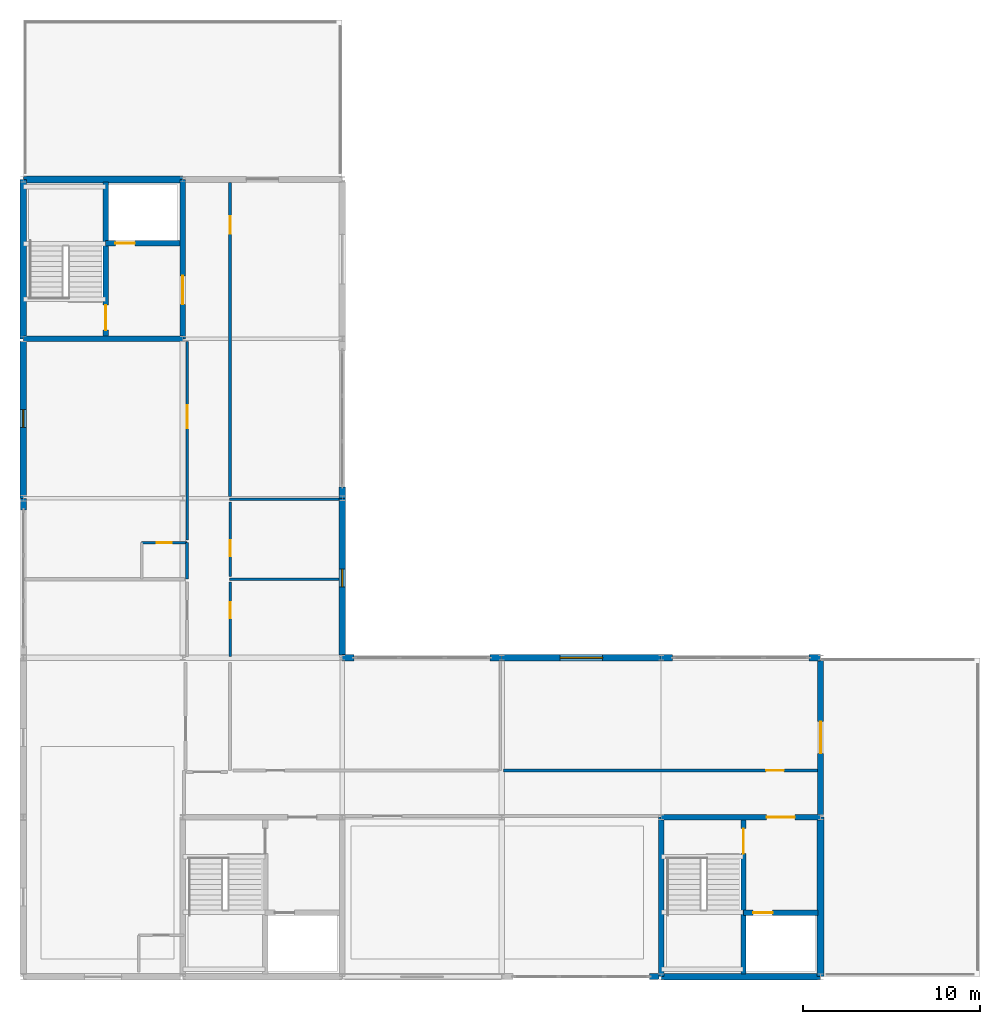
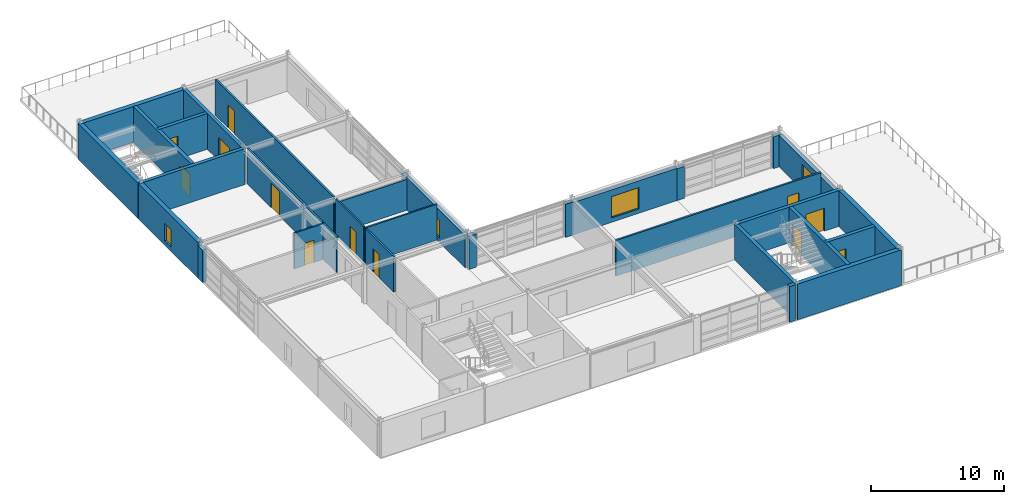
# One storey, part 9 of 11: 32 walls, 13 doors, 3 windows, 16 openings.
"""IFC4 building model written with IfcOpenShell, lengths in metres."""

import ifcopenshell
import ifcopenshell.guid

model = None  # the IFC model being written
_history = None  # IfcOwnerHistory: only IFC2X3 demands one
_inside = {}  # id of a spatial element -> (the spatial element, [elements in it])
_under = {}  # id of a project, library or spatial element -> (it, [spatial elements below it])
_declared = {}  # id of a project -> (the project, [libraries it declares])
_typed = {}  # id of a type object -> (the type object, [elements of that type])
_made_of = {}  # id of a material, layer set ... -> (it, [elements and type objects made of it])


def new_model(schema):
    """Start an empty IFC model of exactly this schema.

    Asked for "IFC4X3", IfcOpenShell would pick the latest addendum, in which some entities
    have other attributes; the version numbers below select the first issue.
    IFC2X3 requires an IfcOwnerHistory on every rooted entity: one is made here for all.
    """
    global model, _history
    if schema == "IFC4X3":
        model = ifcopenshell.file(schema_version=(4, 3, 0, 0))
    else:
        model = ifcopenshell.file(schema=schema)
    _inside.clear()
    _under.clear()
    _declared.clear()
    _typed.clear()
    _made_of.clear()
    _history = None
    if model.schema == "IFC2X3":
        org = make("IfcOrganization", Name="unknown")
        user = make(
            "IfcPersonAndOrganization",
            ThePerson=make("IfcPerson", FamilyName="unknown"),
            TheOrganization=org,
        )
        app = make(
            "IfcApplication",
            ApplicationDeveloper=org,
            Version="unknown",
            ApplicationFullName="unknown",
            ApplicationIdentifier="unknown",
        )
        _history = make(
            "IfcOwnerHistory",
            OwningUser=user,
            OwningApplication=app,
            ChangeAction="ADDED",
            CreationDate=0,
        )
    return model


def make(cls, **values):
    """One entity of the class cls with the attributes given. An attribute that is None is left unset."""
    return model.create_entity(
        cls, **{name: value for name, value in values.items() if value is not None}
    )


def rooted(cls, **values):
    """An entity with a GlobalId (a new one), such as an element, a storey or a relation."""
    return make(cls, GlobalId=ifcopenshell.guid.new(), OwnerHistory=_history, **values)


def si_unit(unit_type, name, prefix=None):
    """IfcSIUnit, for example si_unit("LENGTHUNIT", "METRE", prefix="MILLI")."""
    return make("IfcSIUnit", UnitType=unit_type, Prefix=prefix, Name=name)


def assignment(units):
    """IfcUnitAssignment: the units of a project."""
    return None if units is None else make("IfcUnitAssignment", Units=units)


def point(xyz):
    """IfcCartesianPoint."""
    return None if xyz is None else make("IfcCartesianPoint", Coordinates=xyz)


def direction(xyz):
    """IfcDirection."""
    return None if xyz is None else make("IfcDirection", DirectionRatios=xyz)


def frame(location, z_axis=None, x_axis=None):
    """IfcAxis2Placement3D, a coordinate frame: its origin and axes. An axis left out is left unset."""
    return make(
        "IfcAxis2Placement3D",
        Location=point(location),
        Axis=direction(z_axis),
        RefDirection=direction(x_axis),
    )


def frame_2d(location, x_axis=None):
    """IfcAxis2Placement2D, a coordinate frame in the plane: its origin and x axis."""
    return make(
        "IfcAxis2Placement2D", Location=point(location), RefDirection=direction(x_axis)
    )


def origin():
    """The frame at (0, 0, 0) with its axes left unset."""
    return frame((0.0, 0.0, 0.0))


def place(relative_to, where):
    """IfcLocalPlacement: puts the frame where relative to a parent placement (None: the world)."""
    return make(
        "IfcLocalPlacement", PlacementRelTo=relative_to, RelativePlacement=where
    )


def context(
    kind, dimensions, precision=None, world=None, true_north=None, identifier=None
):
    """IfcGeometricRepresentationContext, for example the 3D "Model" context."""
    return make(
        "IfcGeometricRepresentationContext",
        ContextIdentifier=identifier,
        ContextType=kind,
        CoordinateSpaceDimension=dimensions,
        Precision=precision,
        WorldCoordinateSystem=world,
        TrueNorth=true_north,
    )


def subcontext(parent, identifier, kind, view, scale=None):
    """IfcGeometricRepresentationSubContext, for example "Body" below "Model"."""
    return make(
        "IfcGeometricRepresentationSubContext",
        ContextIdentifier=identifier,
        ContextType=kind,
        ParentContext=parent,
        TargetScale=scale,
        TargetView=view,
    )


def project(units=None, contexts=None):
    """IfcProject with its units and contexts."""
    return rooted(
        "IfcProject",
        Name="project",
        RepresentationContexts=contexts,
        UnitsInContext=assignment(units),
    )


def spatial(cls, under=None, at=None, **own):
    """A site, building, storey or space (cls), placed at a placement, below another one or the project."""
    s = rooted(cls, ObjectPlacement=at, **own)
    if under is not None:
        _under.setdefault(under.id(), (under, []))[1].append(s)
    return s


def profile(cls, at=None, kind="AREA", **sizes):
    """A parametric profile (cls). Its sizes go by their IFC names, for example OverallWidth=200.0."""
    return make(cls, ProfileType=kind, Position=at, **sizes)


def rectangle(**sizes):
    """IfcRectangleProfileDef."""
    return profile("IfcRectangleProfileDef", **sizes)


def extrude(swept, where, along, depth):
    """IfcExtrudedAreaSolid: the profile swept, set in the frame where, extruded along a direction by depth."""
    return make(
        "IfcExtrudedAreaSolid",
        SweptArea=swept,
        Position=where,
        ExtrudedDirection=direction(along),
        Depth=depth,
    )


def shape(context_of_items, identifier, shape_type, items):
    """IfcShapeRepresentation: the items that make up one representation, for example the "Body"."""
    return make(
        "IfcShapeRepresentation",
        ContextOfItems=context_of_items,
        RepresentationIdentifier=identifier,
        RepresentationType=shape_type,
        Items=items,
    )


def material(Name=None, Category=None):
    """IfcMaterial."""
    return make("IfcMaterial", Name=Name, Category=Category)


def layer(
    of_material, thickness, ventilated=None, Name=None, Category=None, Priority=None
):
    """IfcMaterialLayer: one layer of a wall or slab, of a material (None: an air gap)."""
    return make(
        "IfcMaterialLayer",
        Material=of_material,
        LayerThickness=thickness,
        IsVentilated=ventilated,
        Name=Name,
        Category=Category,
        Priority=Priority,
    )


def layer_set(layers, Name=None):
    """IfcMaterialLayerSet."""
    return make("IfcMaterialLayerSet", MaterialLayers=layers, LayerSetName=Name)


def made_of(thing, what):
    """Note that an element or type object is made of a material, layer set ...; save() writes the relation."""
    if what is not None:
        _made_of.setdefault(what.id(), (what, []))[1].append(thing)
    return thing


def type_object(cls, material=None, **own):
    """A type object (cls), such as IfcWallType, which elements share."""
    return made_of(rooted(cls, **own), material)


def element(
    cls,
    number,
    at=None,
    inside=None,
    cuts=None,
    type_object=None,
    material=None,
    context=None,
    identifier="Body",
    shape_type=None,
    held_by="IfcProductDefinitionShape",
    body=None,
    shapes=None,
    **own,
):
    """One element of the class cls, such as IfcWall. Its Tag is "e" and its number.

    at: its placement. inside: the storey or other place that contains it. cuts: it is an
    opening in that element (IfcRelVoidsElement). A single representation is given by context,
    identifier, shape_type and body (its items); several are given by shapes. held_by: the class
    of the entity that holds the representations. save() writes the other relations.
    """
    e = rooted(cls, Tag="e%d" % number, ObjectPlacement=at, **own)
    if body is not None:
        shapes = [shape(context, identifier, shape_type, body)]
    if shapes is not None:
        e.Representation = make(held_by, Representations=shapes)
    if inside is not None:
        _inside.setdefault(inside.id(), (inside, []))[1].append(e)
    if cuts is not None:
        rooted(
            "IfcRelVoidsElement", RelatingBuildingElement=cuts, RelatedOpeningElement=e
        )
    if type_object is not None:
        _typed.setdefault(type_object.id(), (type_object, []))[1].append(e)
    return made_of(e, material)


def fill(opening, filler):
    """IfcRelFillsElement: the door or window that sits in an opening."""
    return rooted(
        "IfcRelFillsElement",
        RelatingOpeningElement=opening,
        RelatedBuildingElement=filler,
    )


def aggregate(whole, parts):
    """IfcRelAggregates: a whole, such as a stair, and the parts it consists of."""
    return rooted("IfcRelAggregates", RelatingObject=whole, RelatedObjects=parts)


def save(model, path):
    """Write the relations noted so far, then the file.

    IfcRelAggregates (storeys below a building ...), IfcRelContainedInSpatialStructure (elements
    in a storey), IfcRelDefinesByType, IfcRelAssociatesMaterial and IfcRelDeclares: one each for
    every whole, place, type object, material and project.
    """
    for whole, parts in _under.values():
        aggregate(whole, parts)
    for where, things in _inside.values():
        rooted(
            "IfcRelContainedInSpatialStructure",
            RelatedElements=things,
            RelatingStructure=where,
        )
    for kind, things in _typed.values():
        rooted("IfcRelDefinesByType", RelatedObjects=things, RelatingType=kind)
    for what, things in _made_of.values():
        rooted("IfcRelAssociatesMaterial", RelatedObjects=things, RelatingMaterial=what)
    for by, libraries in _declared.values():
        rooted("IfcRelDeclares", RelatingContext=by, RelatedDefinitions=libraries)
    model.write(path)


model = new_model("IFC4")

# Units and contexts
model_context = context("Model", 3, precision=1e-05, world=origin(), true_north=direction((0.0, 1.0)))
body_context = subcontext(model_context, "Body", "Model", "MODEL_VIEW")
ifc_project = project(units=[si_unit("LENGTHUNIT", "METRE"), si_unit("AREAUNIT", "SQUARE_METRE"), si_unit("VOLUMEUNIT", "CUBIC_METRE"), si_unit("PLANEANGLEUNIT", "RADIAN"), si_unit("MASSUNIT", "GRAM", prefix="KILO")], contexts=[model_context])

# Site, building, storey
site_placement = place(None, origin())
site = spatial("IfcSite", under=ifc_project, at=site_placement, CompositionType="ELEMENT")
building_placement = place(site_placement, origin())
building = spatial("IfcBuilding", under=site, at=building_placement, Name="Palais des Congres Ocreval", CompositionType="ELEMENT")
storey_placement = place(building_placement, frame((0.0, 0.0, 26.8798828125)))
storey = spatial("IfcBuildingStorey", under=building, at=storey_placement, Name="L08", CompositionType="ELEMENT", Elevation=26.8798828125)

# Wall, opening, door
ifc_material_1 = material(Name="Moisture-resistant gypsum board")
ifc_layer_1 = layer(ifc_material_1, 0.139892578125)
ifc_layer_set_1 = layer_set([ifc_layer_1], Name="Bathroom Plumbing Chase Wall 140 Gypsum (Moisture-resistant gypsum board)")
wall_type_1 = type_object("IfcWallType", Name="Bathroom Plumbing Chase Wall 140 Gypsum", PredefinedType="PLUMBINGWALL", material=ifc_layer_set_1)
wall_1_placement = place(storey_placement, frame((6.679931640625, 24.5, 0.0), z_axis=(0.0, 0.0, 1.0), x_axis=(1.0, 0.0, 0.0)))
wall_1 = element("IfcWall", 1, at=wall_1_placement, inside=storey, type_object=wall_type_1, Name="Bathroom Plumbing Wall PW03 L08", PredefinedType="PLUMBINGWALL", context=body_context, shape_type="SweptSolid", body=[
    extrude(rectangle(XDim=2.56005859375, YDim=0.139892578125, at=frame_2d((1.280029296875, 0.0))), origin(), (0.0, 0.0, 1.0), 3.27001953125),
])
opening_1_placement = place(wall_1_placement, frame((0.85498046875, 0.0, 0.0)))
opening_1 = element("IfcOpeningElement", 2, at=opening_1_placement, cuts=wall_1, Name="Opening D08", PredefinedType="OPENING", context=body_context, shape_type="SweptSolid", body=[
    extrude(rectangle(XDim=0.85009765625, YDim=2.0400390625, at=frame_2d((0.425048828125, 1.02001953125))), frame((0.0, 0.079833984375, 0.0), z_axis=(0.0, -1.0, 0.0), x_axis=(1.0, 0.0, 0.0)), (0.0, 0.0, 1.0), 0.159912109375),
])
ifc_material_2 = material(Name="Solid French oak", Category="wood")
door_type_1 = type_object("IfcDoorType", Name="En-Suite Bathroom Door 850x2040", OperationType="NOTDEFINED", PredefinedType="DOOR", material=ifc_material_2)
door_1_placement = place(opening_1_placement, origin())
door_1 = element("IfcDoor", 3, at=door_1_placement, inside=storey, type_object=door_type_1, Name="En-Suite Bathroom Door D08 L08", OperationType="SINGLE_SWING_LEFT", OverallHeight=2.0400390625, OverallWidth=0.85009765625, PredefinedType="DOOR", context=body_context, shape_type="SweptSolid", body=[
    extrude(rectangle(XDim=0.85009765625, YDim=2.0400390625, at=frame_2d((0.425048828125, 1.02001953125))), frame((0.0, 0.02490234375, 0.0), z_axis=(0.0, -1.0, 0.0), x_axis=(1.0, 0.0, 0.0)), (0.0, 0.0, 1.0), 0.050048828125),
])
fill(opening_1, door_1)

# Walls
wall_2_placement = place(storey_placement, frame((11.639892578125, 22.43505859375, 0.0), z_axis=(0.0, 0.0, 1.0), x_axis=(1.0, 0.0, 0.0)))
element("IfcWall", 4, at=wall_2_placement, inside=storey, type_object=wall_type_1, Name="Interior Partition PW03 L08", PredefinedType="PLUMBINGWALL", context=body_context, shape_type="SweptSolid", body=[
    extrude(rectangle(XDim=6.18505859375, YDim=0.139892578125, at=frame_2d((3.092529296875, 0.0))), origin(), (0.0, 0.0, 1.0), 3.27001953125),
])
wall_3_placement = place(storey_placement, frame((11.639892578125, 26.93505859375, 0.0), z_axis=(0.0, 0.0, 1.0), x_axis=(1.0, 0.0, 0.0)))
element("IfcWall", 5, at=wall_3_placement, inside=storey, type_object=wall_type_1, Name="Interior Partition PW03 L08", PredefinedType="PLUMBINGWALL", context=body_context, shape_type="SweptSolid", body=[
    extrude(rectangle(XDim=6.18505859375, YDim=0.139892578125, at=frame_2d((3.092529296875, 0.0))), origin(), (0.0, 0.0, 1.0), 2.820068359375),
])

# Wall, opening, door
wall_4_placement = place(storey_placement, frame((11.669921875, 18.070068359375, 0.0), z_axis=(0.0, 0.0, 1.0), x_axis=(0.0, 1.0, 0.0)))
wall_4 = element("IfcWall", 6, at=wall_4_placement, inside=storey, type_object=wall_type_1, Name="Interior Partition PW03 L08", PredefinedType="PLUMBINGWALL", context=body_context, shape_type="SweptSolid", body=[
    extrude(rectangle(XDim=4.2099609375, YDim=0.139892578125, at=frame_2d((2.10498046875, 0.0))), origin(), (0.0, 0.0, 1.0), 3.27001953125),
])
opening_2_placement = place(wall_4_placement, frame((2.16015625, 0.0, 0.0)))
opening_2 = element("IfcOpeningElement", 7, at=opening_2_placement, cuts=wall_4, Name="Opening D09", PredefinedType="OPENING", context=body_context, shape_type="SweptSolid", body=[
    extrude(rectangle(XDim=0.89990234375, YDim=2.10009765625, at=frame_2d((0.449951171875, 1.050048828125))), frame((0.0, 0.079833984375, 0.0), z_axis=(0.0, -1.0, 0.0), x_axis=(1.0, 0.0, 0.0)), (0.0, 0.0, 1.0), 0.159912109375),
])
door_type_2 = type_object("IfcDoorType", Name="Accessible Restroom Door 900x2100", OperationType="NOTDEFINED", PredefinedType="DOOR", material=ifc_material_2)
door_2_placement = place(opening_2_placement, origin())
door_2 = element("IfcDoor", 8, at=door_2_placement, inside=storey, type_object=door_type_2, Name="Interior Door D09 L08", OperationType="SINGLE_SWING_RIGHT", OverallHeight=2.10009765625, OverallWidth=0.89990234375, PredefinedType="DOOR", context=body_context, shape_type="SweptSolid", body=[
    extrude(rectangle(XDim=0.89990234375, YDim=2.10009765625, at=frame_2d((0.449951171875, 1.050048828125))), frame((0.0, 0.02490234375, 0.0), z_axis=(0.0, -1.0, 0.0), x_axis=(1.0, 0.0, 0.0)), (0.0, 0.0, 1.0), 0.050048828125),
])
fill(opening_2, door_2)

wall_5_placement = place(storey_placement, frame((11.669921875, 22.590087890625, 0.0), z_axis=(0.0, 0.0, 1.0), x_axis=(0.0, 1.0, 0.0)))
wall_5 = element("IfcWall", 9, at=wall_5_placement, inside=storey, type_object=wall_type_1, Name="Interior Partition PW03 L08", PredefinedType="PLUMBINGWALL", context=body_context, shape_type="SweptSolid", body=[
    extrude(rectangle(XDim=4.18994140625, YDim=0.139892578125, at=frame_2d((2.094970703125, 0.0))), origin(), (0.0, 0.0, 1.0), 3.27001953125),
])
opening_3_placement = place(wall_5_placement, frame((1.14208984375, 0.0, 0.0)))
opening_3 = element("IfcOpeningElement", 10, at=opening_3_placement, cuts=wall_5, Name="Opening D09", PredefinedType="OPENING", context=body_context, shape_type="SweptSolid", body=[
    extrude(rectangle(XDim=0.89990234375, YDim=2.10009765625, at=frame_2d((0.449951171875, 1.050048828125))), frame((0.0, 0.079833984375, 0.0), z_axis=(0.0, -1.0, 0.0), x_axis=(1.0, 0.0, 0.0)), (0.0, 0.0, 1.0), 0.159912109375),
])
door_3_placement = place(opening_3_placement, origin())
door_3 = element("IfcDoor", 11, at=door_3_placement, inside=storey, type_object=door_type_2, Name="Interior Door D09 L08", OperationType="SINGLE_SWING_LEFT", OverallHeight=2.10009765625, OverallWidth=0.89990234375, PredefinedType="DOOR", context=body_context, shape_type="SweptSolid", body=[
    extrude(rectangle(XDim=0.89990234375, YDim=2.10009765625, at=frame_2d((0.449951171875, 1.050048828125))), frame((0.0, 0.02490234375, 0.0), z_axis=(0.0, -1.0, 0.0), x_axis=(1.0, 0.0, 0.0)), (0.0, 0.0, 1.0), 0.050048828125),
])
fill(opening_3, door_3)

ifc_material_3 = material(Name="Concrete C40/50", Category="concrete")
ifc_layer_2 = layer(ifc_material_3, 0.300048828125)
ifc_layer_set_2 = layer_set([ifc_layer_2], Name="Core Shear Wall 300 Concrete C40/50")
wall_type_2 = type_object("IfcWallType", Name="Core Shear Wall 300 Concrete C40/50", PredefinedType="SHEAR", material=ifc_layer_set_2)
wall_6_placement = place(storey_placement, frame((36.0, 9.0, 0.0), z_axis=(0.0, 0.0, 1.0), x_axis=(1.0, 0.0, 0.0)))
wall_6 = element("IfcWall", 12, at=wall_6_placement, inside=storey, type_object=wall_type_2, Name="Core Shear Wall SC02 L08 N", PredefinedType="SHEAR", context=body_context, shape_type="SweptSolid", body=[
    extrude(rectangle(XDim=9.0, YDim=0.300048828125, at=frame_2d((4.5, 0.0))), origin(), (0.0, 0.0, 1.0), 3.27001953125),
])
opening_4_placement = place(wall_6_placement, frame((5.949951171875, 0.0, 0.0)))
opening_4 = element("IfcOpeningElement", 13, at=opening_4_placement, cuts=wall_6, Name="Opening D02", PredefinedType="OPENING", context=body_context, shape_type="SweptSolid", body=[
    extrude(rectangle(XDim=1.60009765625, YDim=2.10009765625, at=frame_2d((0.800048828125, 1.050048828125))), frame((0.0, 0.159912109375, 0.0), z_axis=(0.0, -1.0, 0.0), x_axis=(1.0, 0.0, 0.0)), (0.0, 0.0, 1.0), 0.320068359375),
])
ifc_material_4 = material(Name="Painted fire-rated steel", Category="steel")
door_type_3 = type_object("IfcDoorType", Name="Firefighting Lobby Rated Door 1600x2100", OperationType="NOTDEFINED", PredefinedType="DOOR", material=ifc_material_4)
door_4_placement = place(opening_4_placement, origin())
door_4 = element("IfcDoor", 14, at=door_4_placement, inside=storey, type_object=door_type_3, Name="Firefighting Lobby Entrance Door SC02 L08", OperationType="DOUBLE_DOOR_SINGLE_SWING", OverallHeight=2.10009765625, OverallWidth=1.60009765625, PredefinedType="DOOR", context=body_context, shape_type="SweptSolid", body=[
    extrude(rectangle(XDim=1.60009765625, YDim=2.10009765625, at=frame_2d((0.800048828125, 1.050048828125))), frame((0.0, 0.02490234375, 0.0), z_axis=(0.0, -1.0, 0.0), x_axis=(1.0, 0.0, 0.0)), (0.0, 0.0, 1.0), 0.050048828125),
])
fill(opening_4, door_4)

# Wall
wall_7_placement = place(storey_placement, frame((36.0, 0.0, 0.0), z_axis=(0.0, 0.0, 1.0), x_axis=(0.0, 1.0, 0.0)))
element("IfcWall", 15, at=wall_7_placement, inside=storey, type_object=wall_type_2, Name="Core Shear Wall SC02 L08 W", PredefinedType="SHEAR", context=body_context, shape_type="SweptSolid", body=[
    extrude(rectangle(XDim=9.0, YDim=0.300048828125, at=frame_2d((4.5, 0.0))), origin(), (0.0, 0.0, 1.0), 3.27001953125),
])

# Wall, opening, door
wall_8_placement = place(storey_placement, frame((40.64990234375, 0.14990234375, 0.0), z_axis=(0.0, 0.0, 1.0), x_axis=(0.0, 1.0, 0.0)))
wall_8 = element("IfcWall", 16, at=wall_8_placement, inside=storey, type_object=wall_type_2, Name="Core Spine Shear Wall SC02 L08", PredefinedType="SHEAR", context=body_context, shape_type="SweptSolid", body=[
    extrude(rectangle(XDim=8.7001953125, YDim=0.300048828125, at=frame_2d((4.35009765625, 0.0))), origin(), (0.0, 0.0, 1.0), 3.27001953125),
])
opening_5_placement = place(wall_8_placement, frame((6.800048828125, 0.0, 0.0)))
opening_5 = element("IfcOpeningElement", 17, at=opening_5_placement, cuts=wall_8, Name="Opening D03", PredefinedType="OPENING", context=body_context, shape_type="SweptSolid", body=[
    extrude(rectangle(XDim=1.39990234375, YDim=2.02001953125, at=frame_2d((0.699951171875, 1.010009765625))), frame((0.0, 0.159912109375, 0.0), z_axis=(0.0, -1.0, 0.0), x_axis=(1.0, 0.0, 0.0)), (0.0, 0.0, 1.0), 0.320068359375),
])
door_type_4 = type_object("IfcDoorType", Name="Core Lobby Rated Door 1400x2020", OperationType="NOTDEFINED", PredefinedType="DOOR", material=ifc_material_4)
door_5_placement = place(opening_5_placement, origin())
door_5 = element("IfcDoor", 18, at=door_5_placement, inside=storey, type_object=door_type_4, Name="Protected Exit Stair Door ST02 L08", OperationType="SINGLE_SWING_RIGHT", OverallHeight=2.02001953125, OverallWidth=1.39990234375, PredefinedType="DOOR", context=body_context, shape_type="SweptSolid", body=[
    extrude(rectangle(XDim=1.39990234375, YDim=2.02001953125, at=frame_2d((0.699951171875, 1.010009765625))), frame((0.0, 0.02490234375, 0.0), z_axis=(0.0, -1.0, 0.0), x_axis=(1.0, 0.0, 0.0)), (0.0, 0.0, 1.0), 0.050048828125),
])
fill(opening_5, door_5)

wall_9_placement = place(storey_placement, frame((40.64990234375, 3.60009765625, 0.0), z_axis=(0.0, 0.0, 1.0), x_axis=(1.0, 0.0, 0.0)))
wall_9 = element("IfcWall", 19, at=wall_9_placement, inside=storey, type_object=wall_type_2, Name="Lift Shaft Front Wall SC02 L08", PredefinedType="SHEAR", context=body_context, shape_type="SweptSolid", body=[
    extrude(rectangle(XDim=4.2001953125, YDim=0.300048828125, at=frame_2d((2.10009765625, 0.0))), origin(), (0.0, 0.0, 1.0), 3.27001953125),
])
opening_6_placement = place(wall_9_placement, frame((0.550048828125, 0.0, 0.0)))
opening_6 = element("IfcOpeningElement", 20, at=opening_6_placement, cuts=wall_9, Name="Opening LD01", PredefinedType="OPENING", context=body_context, shape_type="SweptSolid", body=[
    extrude(rectangle(XDim=1.10009765625, YDim=2.10009765625, at=frame_2d((0.550048828125, 1.050048828125))), frame((0.0, 0.159912109375, 0.0), z_axis=(0.0, -1.0, 0.0), x_axis=(1.0, 0.0, 0.0)), (0.0, 0.0, 1.0), 0.320068359375),
])
ifc_material_5 = material(Name="Stainless steel", Category="steel")
door_type_5 = type_object("IfcDoorType", Name="Firefighting Lift Sliding Landing Door 1100x2100", OperationType="NOTDEFINED", PredefinedType="DOOR", material=ifc_material_5)
door_6_placement = place(opening_6_placement, origin())
door_6 = element("IfcDoor", 21, at=door_6_placement, inside=storey, type_object=door_type_5, Name="Lift Landing Sliding Door FF2 L08", OperationType="DOUBLE_DOOR_SLIDING", OverallHeight=2.10009765625, OverallWidth=1.10009765625, PredefinedType="DOOR", context=body_context, shape_type="SweptSolid", body=[
    extrude(rectangle(XDim=1.10009765625, YDim=2.10009765625, at=frame_2d((0.550048828125, 1.050048828125))), frame((0.0, 0.02490234375, 0.0), z_axis=(0.0, -1.0, 0.0), x_axis=(1.0, 0.0, 0.0)), (0.0, 0.0, 1.0), 0.050048828125),
])
fill(opening_6, door_6)

# Wall
wall_10_placement = place(storey_placement, frame((0.0, 36.0, 0.0), z_axis=(0.0, 0.0, 1.0), x_axis=(1.0, 0.0, 0.0)))
element("IfcWall", 22, at=wall_10_placement, inside=storey, type_object=wall_type_2, Name="Core Shear Wall SC03 L08 S", PredefinedType="SHEAR", context=body_context, shape_type="SweptSolid", body=[
    extrude(rectangle(XDim=9.0, YDim=0.300048828125, at=frame_2d((4.5, 0.0))), origin(), (0.0, 0.0, 1.0), 3.27001953125),
])

# Wall, opening, door
wall_11_placement = place(storey_placement, frame((9.0, 36.0, 0.0), z_axis=(0.0, 0.0, 1.0), x_axis=(0.0, 1.0, 0.0)))
wall_11 = element("IfcWall", 23, at=wall_11_placement, inside=storey, type_object=wall_type_2, Name="Core Shear Wall SC03 L08 E", PredefinedType="SHEAR", context=body_context, shape_type="SweptSolid", body=[
    extrude(rectangle(XDim=9.0, YDim=0.300048828125, at=frame_2d((4.5, 0.0))), origin(), (0.0, 0.0, 1.0), 3.27001953125),
])
opening_7_placement = place(wall_11_placement, frame((1.949951171875, 0.0, 0.0)))
opening_7 = element("IfcOpeningElement", 24, at=opening_7_placement, cuts=wall_11, Name="Opening D02", PredefinedType="OPENING", context=body_context, shape_type="SweptSolid", body=[
    extrude(rectangle(XDim=1.60009765625, YDim=2.10009765625, at=frame_2d((0.800048828125, 1.050048828125))), frame((0.0, 0.159912109375, 0.0), z_axis=(0.0, -1.0, 0.0), x_axis=(1.0, 0.0, 0.0)), (0.0, 0.0, 1.0), 0.320068359375),
])
door_7_placement = place(opening_7_placement, origin())
door_7 = element("IfcDoor", 25, at=door_7_placement, inside=storey, type_object=door_type_3, Name="Firefighting Lobby Entrance Door SC03 L08", OperationType="DOUBLE_DOOR_SINGLE_SWING", OverallHeight=2.10009765625, OverallWidth=1.60009765625, PredefinedType="DOOR", context=body_context, shape_type="SweptSolid", body=[
    extrude(rectangle(XDim=1.60009765625, YDim=2.10009765625, at=frame_2d((0.800048828125, 1.050048828125))), frame((0.0, 0.02490234375, 0.0), z_axis=(0.0, -1.0, 0.0), x_axis=(1.0, 0.0, 0.0)), (0.0, 0.0, 1.0), 0.050048828125),
])
fill(opening_7, door_7)

wall_12_placement = place(storey_placement, frame((4.64990234375, 36.14990234375, 0.0), z_axis=(0.0, 0.0, 1.0), x_axis=(0.0, 1.0, 0.0)))
wall_12 = element("IfcWall", 26, at=wall_12_placement, inside=storey, type_object=wall_type_2, Name="Core Spine Shear Wall SC03 L08", PredefinedType="SHEAR", context=body_context, shape_type="SweptSolid", body=[
    extrude(rectangle(XDim=8.7001953125, YDim=0.300048828125, at=frame_2d((4.35009765625, 0.0))), origin(), (0.0, 0.0, 1.0), 3.27001953125),
])
opening_8_placement = place(wall_12_placement, frame((0.35009765625, 0.0, 0.0)))
opening_8 = element("IfcOpeningElement", 27, at=opening_8_placement, cuts=wall_12, Name="Opening D03", PredefinedType="OPENING", context=body_context, shape_type="SweptSolid", body=[
    extrude(rectangle(XDim=1.39990234375, YDim=2.02001953125, at=frame_2d((0.699951171875, 1.010009765625))), frame((0.0, 0.159912109375, 0.0), z_axis=(0.0, -1.0, 0.0), x_axis=(1.0, 0.0, 0.0)), (0.0, 0.0, 1.0), 0.320068359375),
])
door_8_placement = place(opening_8_placement, origin())
door_8 = element("IfcDoor", 28, at=door_8_placement, inside=storey, type_object=door_type_4, Name="Protected Exit Stair Door ST03 L08", OperationType="SINGLE_SWING_LEFT", OverallHeight=2.02001953125, OverallWidth=1.39990234375, PredefinedType="DOOR", context=body_context, shape_type="SweptSolid", body=[
    extrude(rectangle(XDim=1.39990234375, YDim=2.02001953125, at=frame_2d((0.699951171875, 1.010009765625))), frame((0.0, 0.02490234375, 0.0), z_axis=(0.0, -1.0, 0.0), x_axis=(1.0, 0.0, 0.0)), (0.0, 0.0, 1.0), 0.050048828125),
])
fill(opening_8, door_8)

wall_13_placement = place(storey_placement, frame((4.64990234375, 41.39990234375, 0.0), z_axis=(0.0, 0.0, 1.0), x_axis=(1.0, 0.0, 0.0)))
wall_13 = element("IfcWall", 29, at=wall_13_placement, inside=storey, type_object=wall_type_2, Name="Lift Shaft Front Wall SC03 L08", PredefinedType="SHEAR", context=body_context, shape_type="SweptSolid", body=[
    extrude(rectangle(XDim=4.2001953125, YDim=0.300048828125, at=frame_2d((2.10009765625, 0.0))), origin(), (0.0, 0.0, 1.0), 3.27001953125),
])
opening_9_placement = place(wall_13_placement, frame((0.550048828125, 0.0, 0.0)))
opening_9 = element("IfcOpeningElement", 30, at=opening_9_placement, cuts=wall_13, Name="Opening LD01", PredefinedType="OPENING", context=body_context, shape_type="SweptSolid", body=[
    extrude(rectangle(XDim=1.10009765625, YDim=2.10009765625, at=frame_2d((0.550048828125, 1.050048828125))), frame((0.0, 0.159912109375, 0.0), z_axis=(0.0, -1.0, 0.0), x_axis=(1.0, 0.0, 0.0)), (0.0, 0.0, 1.0), 0.320068359375),
])
door_9_placement = place(opening_9_placement, origin())
door_9 = element("IfcDoor", 31, at=door_9_placement, inside=storey, type_object=door_type_5, Name="Lift Landing Sliding Door FF3 L08", OperationType="DOUBLE_DOOR_SLIDING", OverallHeight=2.10009765625, OverallWidth=1.10009765625, PredefinedType="DOOR", context=body_context, shape_type="SweptSolid", body=[
    extrude(rectangle(XDim=1.10009765625, YDim=2.10009765625, at=frame_2d((0.550048828125, 1.050048828125))), frame((0.0, 0.02490234375, 0.0), z_axis=(0.0, -1.0, 0.0), x_axis=(1.0, 0.0, 0.0)), (0.0, 0.0, 1.0), 0.050048828125),
])
fill(opening_9, door_9)

# Wall
ifc_material_6 = material(Name="Gypsum acoustic partition")
ifc_layer_3 = layer(ifc_material_6, 0.159912109375)
ifc_layer_set_3 = layer_set([ifc_layer_3], Name="Corridor Fire Partition 160 Gypsum (Gypsum acoustic partition)")
wall_type_3 = type_object("IfcWallType", Name="Corridor Fire Partition 160 Gypsum", PredefinedType="PARTITIONING", material=ifc_layer_set_3)
wall_14_placement = place(storey_placement, frame((9.239990234375, 22.43994140625, 0.0), z_axis=(0.0, 0.0, 1.0), x_axis=(0.0, 1.0, 0.0)))
element("IfcWall", 32, at=wall_14_placement, inside=storey, type_object=wall_type_3, Name="Corridor Partition IW03 L08", PredefinedType="PARTITIONING", context=body_context, shape_type="SweptSolid", body=[
    extrude(rectangle(XDim=2.06005859375, YDim=0.159912109375, at=frame_2d((1.030029296875, 0.0))), origin(), (0.0, 0.0, 1.0), 3.27001953125),
])

# Wall, opening, door
wall_15_placement = place(storey_placement, frame((27.090087890625, 11.635009765625, 0.0), z_axis=(0.0, 0.0, 1.0), x_axis=(1.0, 0.0, 0.0)))
wall_15 = element("IfcWall", 33, at=wall_15_placement, inside=storey, type_object=wall_type_3, Name="Interior Partition IW03 L08", PredefinedType="PARTITIONING", context=body_context, shape_type="SweptSolid", body=[
    extrude(rectangle(XDim=17.73486328125, YDim=0.159912109375, at=frame_2d((8.867431640625, 0.0))), origin(), (0.0, 0.0, 1.0), 3.27001953125),
])
opening_10_placement = place(wall_15_placement, frame((14.8349609375, 0.0, 0.0)))
opening_10 = element("IfcOpeningElement", 34, at=opening_10_placement, cuts=wall_15, Name="Opening D10", PredefinedType="OPENING", context=body_context, shape_type="SweptSolid", body=[
    extrude(rectangle(XDim=1.0, YDim=2.10009765625, at=frame_2d((0.5, 1.050048828125))), frame((0.0, 0.08984375, 0.0), z_axis=(0.0, -1.0, 0.0), x_axis=(1.0, 0.0, 0.0)), (0.0, 0.0, 1.0), 0.179931640625),
])
ifc_material_7 = material(Name="Painted steel", Category="steel")
door_type_6 = type_object("IfcDoorType", Name="Service and Pantry Door 1000x2100", OperationType="NOTDEFINED", PredefinedType="DOOR", material=ifc_material_7)
door_10_placement = place(opening_10_placement, origin())
door_10 = element("IfcDoor", 35, at=door_10_placement, inside=storey, type_object=door_type_6, Name="Interior Door D10 L08", OperationType="SINGLE_SWING_LEFT", OverallHeight=2.10009765625, OverallWidth=1.0, PredefinedType="DOOR", context=body_context, shape_type="SweptSolid", body=[
    extrude(rectangle(XDim=1.0, YDim=2.10009765625, at=frame_2d((0.5, 1.050048828125))), frame((0.0, 0.02490234375, 0.0), z_axis=(0.0, -1.0, 0.0), x_axis=(1.0, 0.0, 0.0)), (0.0, 0.0, 1.0), 0.050048828125),
])
fill(opening_10, door_10)

wall_16_placement = place(storey_placement, frame((9.25, 24.655029296875, 0.0), z_axis=(0.0, 0.0, 1.0), x_axis=(0.0, 1.0, 0.0)))
wall_16 = element("IfcWall", 36, at=wall_16_placement, inside=storey, type_object=wall_type_3, Name="Interior Partition IW03 L08", PredefinedType="PARTITIONING", context=body_context, shape_type="SweptSolid", body=[
    extrude(rectangle(XDim=11.18994140625, YDim=0.159912109375, at=frame_2d((5.594970703125, 0.0))), origin(), (0.0, 0.0, 1.0), 3.27001953125),
])
opening_11_placement = place(wall_16_placement, frame((6.287841796875, 0.0, 0.0)))
opening_11 = element("IfcOpeningElement", 37, at=opening_11_placement, cuts=wall_16, Name="Opening D07", PredefinedType="OPENING", context=body_context, shape_type="SweptSolid", body=[
    extrude(rectangle(XDim=1.300048828125, YDim=2.25, at=frame_2d((0.64990234375, 1.125))), frame((0.0, 0.08984375, 0.0), z_axis=(0.0, -1.0, 0.0), x_axis=(1.0, 0.0, 0.0)), (0.0, 0.0, 1.0), 0.179931640625),
])
door_type_7 = type_object("IfcDoorType", Name="Luxury Suite Double Door 1300x2250", OperationType="NOTDEFINED", PredefinedType="DOOR", material=ifc_material_2)
door_11_placement = place(opening_11_placement, origin())
door_11 = element("IfcDoor", 38, at=door_11_placement, inside=storey, type_object=door_type_7, Name="Interior Door D07 L08", OperationType="DOUBLE_DOOR_SINGLE_SWING", OverallHeight=2.25, OverallWidth=1.300048828125, PredefinedType="DOOR", context=body_context, shape_type="SweptSolid", body=[
    extrude(rectangle(XDim=1.300048828125, YDim=2.25, at=frame_2d((0.64990234375, 1.125))), frame((0.0, 0.02490234375, 0.0), z_axis=(0.0, -1.0, 0.0), x_axis=(1.0, 0.0, 0.0)), (0.0, 0.0, 1.0), 0.050048828125),
])
fill(opening_11, door_11)

wall_17_placement = place(storey_placement, frame((11.669921875, 27.090087890625, 0.0), z_axis=(0.0, 0.0, 1.0), x_axis=(0.0, 1.0, 0.0)))
wall_17 = element("IfcWall", 39, at=wall_17_placement, inside=storey, type_object=wall_type_3, Name="Interior Partition IW03 L08", PredefinedType="PARTITIONING", context=body_context, shape_type="SweptSolid", body=[
    extrude(rectangle(XDim=17.73486328125, YDim=0.159912109375, at=frame_2d((8.867431640625, 0.0))), origin(), (0.0, 0.0, 1.0), 3.27001953125),
])
opening_12_placement = place(wall_17_placement, frame((14.8349609375, 0.0, 0.0)))
opening_12 = element("IfcOpeningElement", 40, at=opening_12_placement, cuts=wall_17, Name="Opening D10", PredefinedType="OPENING", context=body_context, shape_type="SweptSolid", body=[
    extrude(rectangle(XDim=1.0, YDim=2.10009765625, at=frame_2d((0.5, 1.050048828125))), frame((0.0, 0.08984375, 0.0), z_axis=(0.0, -1.0, 0.0), x_axis=(1.0, 0.0, 0.0)), (0.0, 0.0, 1.0), 0.179931640625),
])
door_12_placement = place(opening_12_placement, origin())
door_12 = element("IfcDoor", 41, at=door_12_placement, inside=storey, type_object=door_type_6, Name="Interior Door D10 L08", OperationType="SINGLE_SWING_LEFT", OverallHeight=2.10009765625, OverallWidth=1.0, PredefinedType="DOOR", context=body_context, shape_type="SweptSolid", body=[
    extrude(rectangle(XDim=1.0, YDim=2.10009765625, at=frame_2d((0.5, 1.050048828125))), frame((0.0, 0.02490234375, 0.0), z_axis=(0.0, -1.0, 0.0), x_axis=(1.0, 0.0, 0.0)), (0.0, 0.0, 1.0), 0.050048828125),
])
fill(opening_12, door_12)

# Walls
ifc_layer_4 = layer(ifc_material_3, 0.3798828125)
ifc_layer_set_4 = layer_set([ifc_layer_4], Name="Lutetian Limestone Street Wall 380 Concrete C40/50")
wall_type_4 = type_object("IfcWallType", Name="Lutetian Limestone Street Wall 380 Concrete C40/50", PredefinedType="SOLIDWALL", material=ifc_layer_set_4)
for number, where, z_axis, x_axis, name in (
    (42, (45.0, 9.0, 0.0), (0.0, 0.0, 1.0), (0.0, -1.0, 0.0), "Core Perimeter Shear Wall EW03 SC02 L08"),
    (43, (45.0, 0.0, 0.0), (0.0, 0.0, 1.0), (-1.0, 0.0, 0.0), "Core Perimeter Shear Wall EW03 SC02 L08"),
):
    element("IfcWall", number, at=place(storey_placement, frame(where, z_axis=z_axis, x_axis=x_axis)), inside=storey, type_object=wall_type_4, Name=name, PredefinedType="SOLIDWALL", context=body_context, shape_type="SweptSolid", body=[
        extrude(rectangle(XDim=9.0, YDim=0.3798828125, at=frame_2d((4.5, 0.0))), origin(), (0.0, 0.0, 1.0), 3.27001953125),
    ])

# Wall, opening, window
wall_18_placement = place(storey_placement, frame((0.0, 27.0, 0.0), z_axis=(0.0, 0.0, 1.0), x_axis=(0.0, 1.0, 0.0)))
wall_18 = element("IfcWall", 44, at=wall_18_placement, inside=storey, type_object=wall_type_4, Name="Exterior Wall EW03 L08", PredefinedType="SOLIDWALL", context=body_context, shape_type="SweptSolid", body=[
    extrude(rectangle(XDim=8.8701171875, YDim=0.3798828125, at=frame_2d((4.43505859375, 0.0))), origin(), (0.0, 0.0, 1.0), 3.27001953125),
])
opening_13_placement = place(wall_18_placement, frame((4.0, 0.0, 0.39990234375)))
opening_13 = element("IfcOpeningElement", 45, at=opening_13_placement, cuts=wall_18, Name="Opening WN18", PredefinedType="OPENING", context=body_context, shape_type="SweptSolid", body=[
    extrude(rectangle(XDim=1.0, YDim=1.60009765625, at=frame_2d((0.5, 0.800048828125))), frame((0.0, 0.199951171875, 0.0), z_axis=(0.0, -1.0, 0.0), x_axis=(1.0, 0.0, 0.0)), (0.0, 0.0, 1.0), 0.39990234375),
])
ifc_material_8 = material(Name="Anodized bronze aluminium and low-E glass", Category="glass")
window_type_1 = type_object("IfcWindowType", Name="Stair and Lobby Daylight Window 1000x1600", PartitioningType="SINGLE_PANEL", PredefinedType="WINDOW", material=ifc_material_8)
window_1_placement = place(opening_13_placement, origin())
window_1 = element("IfcWindow", 46, at=window_1_placement, inside=storey, type_object=window_type_1, Name="Facade Window WN18", OverallHeight=1.60009765625, OverallWidth=1.0, PartitioningType="SINGLE_PANEL", PredefinedType="WINDOW", context=body_context, shape_type="SweptSolid", body=[
    extrude(rectangle(XDim=1.0, YDim=1.60009765625, at=frame_2d((0.5, 0.800048828125))), frame((0.0, 0.030029296875, 0.0), z_axis=(0.0, -1.0, 0.0), x_axis=(1.0, 0.0, 0.0)), (0.0, 0.0, 1.0), 0.06005859375),
])
fill(opening_13, window_1)

# Walls
for number, where, z_axis, x_axis, name in (
    (47, (0.0, 36.0, 0.0), (0.0, 0.0, 1.0), (0.0, 1.0, 0.0), "Core Perimeter Shear Wall EW03 SC03 L08"),
    (48, (0.0, 45.0, 0.0), (0.0, 0.0, 1.0), (1.0, 0.0, 0.0), "Core Perimeter Shear Wall EW03 SC03 L08"),
):
    element("IfcWall", number, at=place(storey_placement, frame(where, z_axis=z_axis, x_axis=x_axis)), inside=storey, type_object=wall_type_4, Name=name, PredefinedType="SOLIDWALL", context=body_context, shape_type="SweptSolid", body=[
        extrude(rectangle(XDim=9.0, YDim=0.3798828125, at=frame_2d((4.5, 0.0))), origin(), (0.0, 0.0, 1.0), 3.27001953125),
    ])

# Wall, opening, door
ifc_layer_5 = layer(ifc_material_3, 0.340087890625)
ifc_layer_set_5 = layer_set([ifc_layer_5], Name="Ochre Mineral-Lime Courtyard Wall 340 Concrete C40/50")
wall_type_5 = type_object("IfcWallType", Name="Ochre Mineral-Lime Courtyard Wall 340 Concrete C40/50", PredefinedType="SOLIDWALL", material=ifc_layer_set_5)
wall_19_placement = place(storey_placement, frame((45.0, 17.844970703125, 0.0), z_axis=(0.0, 0.0, 1.0), x_axis=(0.0, -1.0, 0.0)))
wall_19 = element("IfcWall", 49, at=wall_19_placement, inside=storey, type_object=wall_type_5, Name="Exterior Wall EW04 L08", PredefinedType="SOLIDWALL", context=body_context, shape_type="SweptSolid", body=[
    extrude(rectangle(XDim=8.715087890625, YDim=0.340087890625, at=frame_2d((4.357421875, 0.0))), origin(), (0.0, 0.0, 1.0), 2.880126953125),
])
opening_14_placement = place(wall_19_placement, frame((3.445068359375, 0.0, 0.0)))
opening_14 = element("IfcOpeningElement", 50, at=opening_14_placement, cuts=wall_19, Name="Opening TD01", PredefinedType="OPENING", context=body_context, shape_type="SweptSolid", body=[
    extrude(rectangle(XDim=1.800048828125, YDim=2.300048828125, at=frame_2d((0.89990234375, 1.14990234375))), frame((0.0, 0.179931640625, 0.0), z_axis=(0.0, -1.0, 0.0), x_axis=(1.0, 0.0, 0.0)), (0.0, 0.0, 1.0), 0.360107421875),
])
ifc_material_9 = material(Name="Anodized bronze aluminium and safety glass", Category="aluminium")
door_type_8 = type_object("IfcDoorType", Name="Glazed Terrace Double Door 1800x2300", OperationType="NOTDEFINED", PredefinedType="DOOR", material=ifc_material_9)
door_13_placement = place(opening_14_placement, origin())
door_13 = element("IfcDoor", 51, at=door_13_placement, inside=storey, type_object=door_type_8, Name="Terrace Access Door Sky Restaurant Panoramic Terrace", OperationType="DOUBLE_DOOR_SINGLE_SWING", OverallHeight=2.300048828125, OverallWidth=1.800048828125, PredefinedType="DOOR", context=body_context, shape_type="SweptSolid", body=[
    extrude(rectangle(XDim=1.800048828125, YDim=2.300048828125, at=frame_2d((0.89990234375, 1.14990234375))), frame((0.0, 0.02490234375, 0.0), z_axis=(0.0, -1.0, 0.0), x_axis=(1.0, 0.0, 0.0)), (0.0, 0.0, 1.0), 0.050048828125),
])
fill(opening_14, door_13)

# Walls
wall_20_placement = place(storey_placement, frame((35.8701171875, 0.0, 0.0), z_axis=(0.0, 0.0, 1.0), x_axis=(-1.0, 0.0, 0.0)))
element("IfcWall", 52, at=wall_20_placement, inside=storey, type_object=wall_type_5, Name="Facade Pier EW04 L08", PredefinedType="SOLIDWALL", context=body_context, shape_type="SweptSolid", body=[
    extrude(rectangle(XDim=0.52001953125, YDim=0.340087890625, at=frame_2d((0.260009765625, 0.0))), origin(), (0.0, 0.0, 1.0), 3.27001953125),
])
wall_21_placement = place(storey_placement, frame((0.0, 26.35009765625, 0.0), z_axis=(0.0, 0.0, 1.0), x_axis=(0.0, 1.0, 0.0)))
element("IfcWall", 53, at=wall_21_placement, inside=storey, type_object=wall_type_5, Name="Facade Pier EW04 L08", PredefinedType="SOLIDWALL", context=body_context, shape_type="SweptSolid", body=[
    extrude(rectangle(XDim=0.64990234375, YDim=0.340087890625, at=frame_2d((0.324951171875, 0.0))), origin(), (0.0, 0.0, 1.0), 2.97021484375),
])
wall_22_placement = place(storey_placement, frame((18.0, 27.64990234375, 0.0), z_axis=(0.0, 0.0, 1.0), x_axis=(0.0, -1.0, 0.0)))
element("IfcWall", 54, at=wall_22_placement, inside=storey, type_object=wall_type_5, Name="Facade Pier EW04 L08", PredefinedType="SOLIDWALL", context=body_context, shape_type="SweptSolid", body=[
    extrude(rectangle(XDim=0.64990234375, YDim=0.340087890625, at=frame_2d((0.324951171875, 0.0))), origin(), (0.0, 0.0, 1.0), 2.91015625),
])

# Wall, opening, window
wall_23_placement = place(storey_placement, frame((18.0, 27.0, 0.0), z_axis=(0.0, 0.0, 1.0), x_axis=(0.0, -1.0, 0.0)))
wall_23 = element("IfcWall", 55, at=wall_23_placement, inside=storey, type_object=wall_type_5, Name="Exterior Wall EW04 L08", PredefinedType="SOLIDWALL", context=body_context, shape_type="SweptSolid", body=[
    extrude(rectangle(XDim=8.844970703125, YDim=0.340087890625, at=frame_2d((4.42236328125, 0.0))), origin(), (0.0, 0.0, 1.0), 2.97021484375),
])
opening_15_placement = place(wall_23_placement, frame((4.0, 0.0, 0.39990234375)))
opening_15 = element("IfcOpeningElement", 56, at=opening_15_placement, cuts=wall_23, Name="Opening WN18", PredefinedType="OPENING", context=body_context, shape_type="SweptSolid", body=[
    extrude(rectangle(XDim=1.0, YDim=1.60009765625, at=frame_2d((0.5, 0.800048828125))), frame((0.0, 0.179931640625, 0.0), z_axis=(0.0, -1.0, 0.0), x_axis=(1.0, 0.0, 0.0)), (0.0, 0.0, 1.0), 0.360107421875),
])
window_2_placement = place(opening_15_placement, origin())
window_2 = element("IfcWindow", 57, at=window_2_placement, inside=storey, type_object=window_type_1, Name="Facade Window WN18", OverallHeight=1.60009765625, OverallWidth=1.0, PartitioningType="SINGLE_PANEL", PredefinedType="WINDOW", context=body_context, shape_type="SweptSolid", body=[
    extrude(rectangle(XDim=1.0, YDim=1.60009765625, at=frame_2d((0.5, 0.800048828125))), frame((0.0, 0.030029296875, 0.0), z_axis=(0.0, -1.0, 0.0), x_axis=(1.0, 0.0, 0.0)), (0.0, 0.0, 1.0), 0.06005859375),
])
fill(opening_15, window_2)

# Walls
for number, where, z_axis, x_axis, name in (
    (58, (18.0, 18.0, 0.0), (0.0, 0.0, 1.0), (1.0, 0.0, 0.0), "Facade Pier EW04 L08"),
    (59, (26.35009765625, 18.0, 0.0), (0.0, 0.0, 1.0), (1.0, 0.0, 0.0), "Facade Pier EW04 L08"),
):
    element("IfcWall", number, at=place(storey_placement, frame(where, z_axis=z_axis, x_axis=x_axis)), inside=storey, type_object=wall_type_5, Name=name, PredefinedType="SOLIDWALL", context=body_context, shape_type="SweptSolid", body=[
        extrude(rectangle(XDim=0.64990234375, YDim=0.340087890625, at=frame_2d((0.324951171875, 0.0))), origin(), (0.0, 0.0, 1.0), 3.0400390625),
    ])

# Wall, opening, window
wall_24_placement = place(storey_placement, frame((27.0, 18.0, 0.0), z_axis=(0.0, 0.0, 1.0), x_axis=(1.0, 0.0, 0.0)))
wall_24 = element("IfcWall", 60, at=wall_24_placement, inside=storey, type_object=wall_type_5, Name="Exterior Wall EW04 L08", PredefinedType="SOLIDWALL", context=body_context, shape_type="SweptSolid", body=[
    extrude(rectangle(XDim=9.0, YDim=0.340087890625, at=frame_2d((4.5, 0.0))), origin(), (0.0, 0.0, 1.0), 2.97021484375),
])
opening_16_placement = place(wall_24_placement, frame((3.300048828125, 0.0, 0.39990234375)))
opening_16 = element("IfcOpeningElement", 61, at=opening_16_placement, cuts=wall_24, Name="Opening WN03", PredefinedType="OPENING", context=body_context, shape_type="SweptSolid", body=[
    extrude(rectangle(XDim=2.39990234375, YDim=1.949951171875, at=frame_2d((1.199951171875, 0.97509765625))), frame((0.0, 0.179931640625, 0.0), z_axis=(0.0, -1.0, 0.0), x_axis=(1.0, 0.0, 0.0)), (0.0, 0.0, 1.0), 0.360107421875),
])
window_type_2 = type_object("IfcWindowType", Name="Suite Panoramic Window 2400x1950", PartitioningType="SINGLE_PANEL", PredefinedType="WINDOW", material=ifc_material_8)
window_3_placement = place(opening_16_placement, origin())
window_3 = element("IfcWindow", 62, at=window_3_placement, inside=storey, type_object=window_type_2, Name="Facade Window WN03", OverallHeight=1.949951171875, OverallWidth=2.39990234375, PartitioningType="SINGLE_PANEL", PredefinedType="WINDOW", context=body_context, shape_type="SweptSolid", body=[
    extrude(rectangle(XDim=2.39990234375, YDim=1.949951171875, at=frame_2d((1.199951171875, 0.97509765625))), frame((0.0, 0.030029296875, 0.0), z_axis=(0.0, -1.0, 0.0), x_axis=(1.0, 0.0, 0.0)), (0.0, 0.0, 1.0), 0.06005859375),
])
fill(opening_16, window_3)

# Walls
for number, where, z_axis, x_axis, name in (
    (63, (36.0, 18.0, 0.0), (0.0, 0.0, 1.0), (1.0, 0.0, 0.0), "Facade Pier EW04 L08"),
    (64, (44.35009765625, 18.0, 0.0), (0.0, 0.0, 1.0), (1.0, 0.0, 0.0), "Facade Pier EW04 L08"),
):
    element("IfcWall", number, at=place(storey_placement, frame(where, z_axis=z_axis, x_axis=x_axis)), inside=storey, type_object=wall_type_5, Name=name, PredefinedType="SOLIDWALL", context=body_context, shape_type="SweptSolid", body=[
        extrude(rectangle(XDim=0.64990234375, YDim=0.340087890625, at=frame_2d((0.324951171875, 0.0))), origin(), (0.0, 0.0, 1.0), 2.91015625),
    ])

save(model, "model.ifc")
